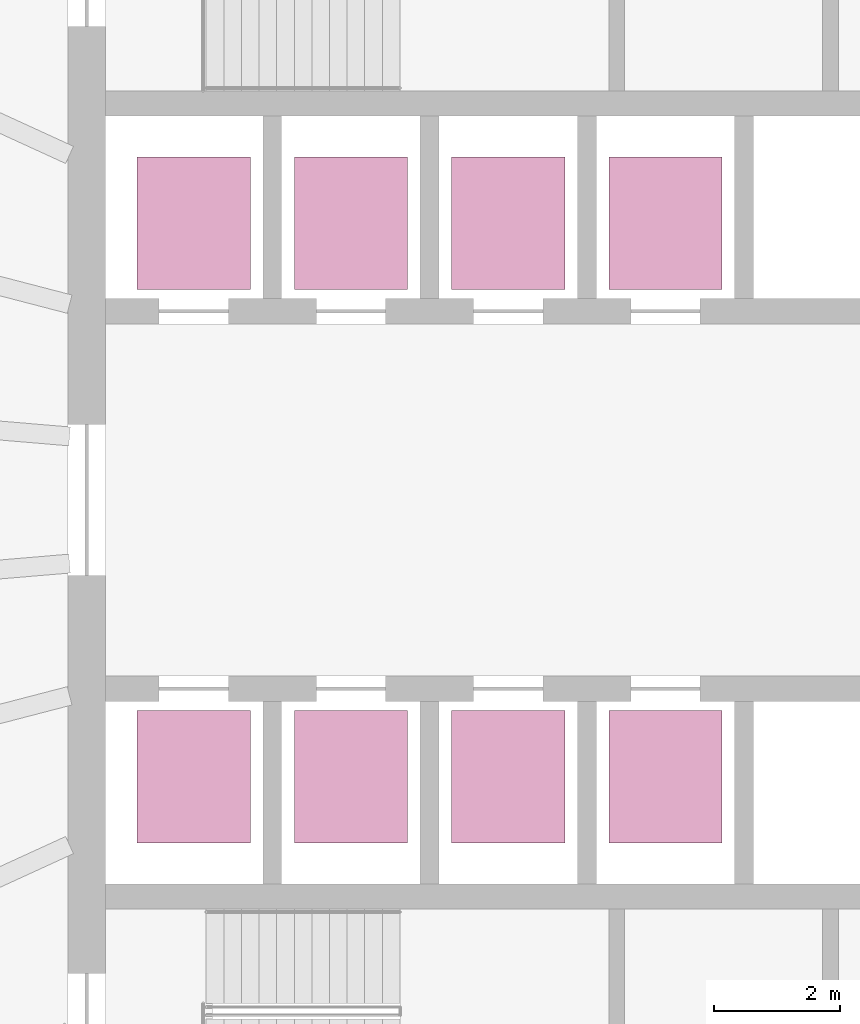
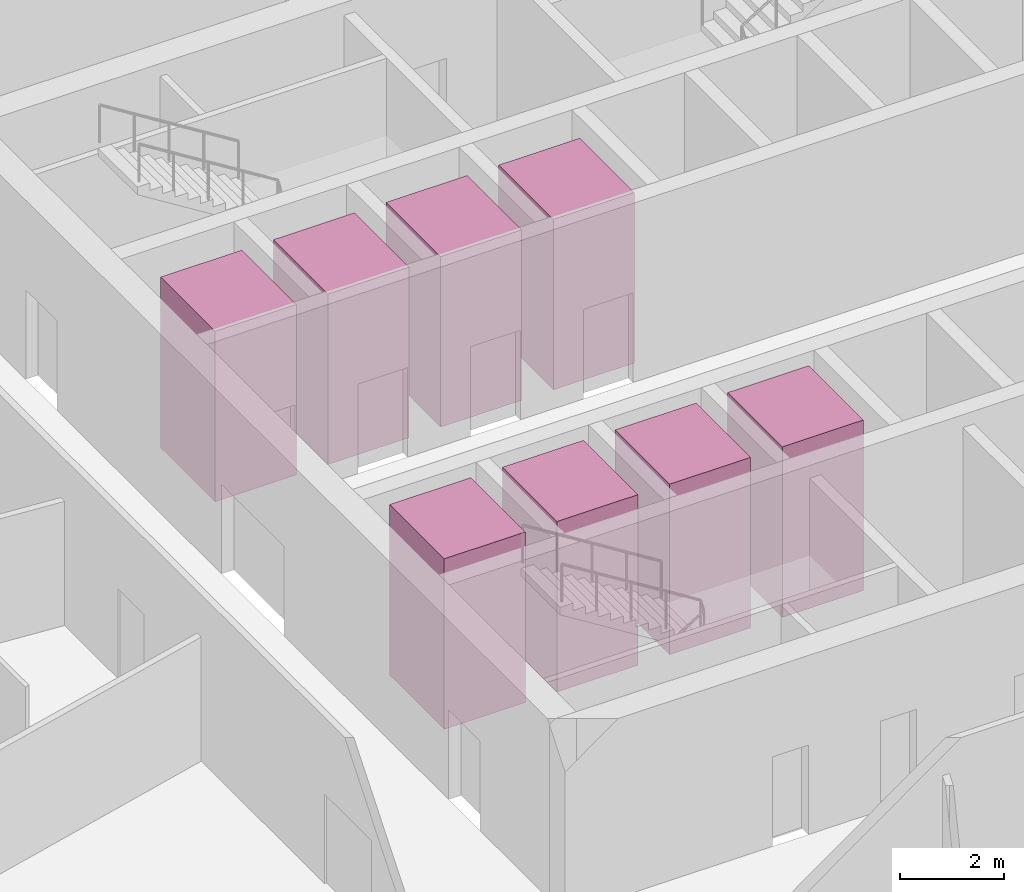
# One storey, part 10 of 10: 8 transport elements.
"""IFC4 building model written with IfcOpenShell, lengths in metres."""

from ifc_helpers import new_model, si_unit, direction, frame, origin, origin_2d, place, context, subcontext, project, spatial, rectangle, extrude, material, type_object, element, save


model = new_model("IFC4")

# Units and contexts
model_context = context("Model", 3, precision=1e-05, world=origin(), true_north=direction((0.0, 1.0)))
body_context = subcontext(model_context, "Body", "Model", "MODEL_VIEW")
ifc_project = project(units=[si_unit("LENGTHUNIT", "METRE"), si_unit("AREAUNIT", "SQUARE_METRE"), si_unit("VOLUMEUNIT", "CUBIC_METRE"), si_unit("PLANEANGLEUNIT", "RADIAN"), si_unit("MASSUNIT", "GRAM", prefix="KILO")], contexts=[model_context])

# Site, building, storey
site_placement = place(None, origin())
site = spatial("IfcSite", under=ifc_project, at=site_placement, CompositionType="ELEMENT")
building_placement = place(site_placement, origin())
building = spatial("IfcBuilding", under=site, at=building_placement, Name="Halqa Exchange Tower", CompositionType="ELEMENT")
storey_placement = place(building_placement, frame((0.0, 0.0, 154.89990234375)))
storey = spatial("IfcBuildingStorey", under=building, at=storey_placement, Name="L35", CompositionType="ELEMENT", Elevation=154.89990234375)

# Transport elements
ifc_material = material(Name="Stainless steel", Category="steel")
transport_element_type = type_object("IfcTransportElementType", Name="Low-rise passenger lift 1800 x 2100", PredefinedType="ELEVATOR", material=ifc_material)
for number, where, z_axis, x_axis, name in (
    (1, (-10.0, 4.39990234375, 0.0), (0.0, 0.0, 1.0), (1.0, 0.0, 0.0), "Low-rise passenger lift LR1"),
    (2, (-7.5, 4.39990234375, 0.0), (0.0, 0.0, 1.0), (1.0, 0.0, 0.0), "Low-rise passenger lift LR2"),
    (3, (-5.0, 4.39990234375, 0.0), (0.0, 0.0, 1.0), (1.0, 0.0, 0.0), "Low-rise passenger lift LR3"),
    (4, (-2.5, 4.39990234375, 0.0), (0.0, 0.0, 1.0), (1.0, 0.0, 0.0), "Low-rise passenger lift LR4"),
    (5, (-10.0, -4.39990234375, 0.0), (0.0, 0.0, 1.0), (1.0, 0.0, 0.0), "Low-rise passenger lift LR5"),
    (6, (-7.5, -4.39990234375, 0.0), (0.0, 0.0, 1.0), (1.0, 0.0, 0.0), "Low-rise passenger lift LR6"),
    (7, (-5.0, -4.39990234375, 0.0), (0.0, 0.0, 1.0), (1.0, 0.0, 0.0), "Low-rise passenger lift LR7"),
    (8, (-2.5, -4.39990234375, 0.0), (0.0, 0.0, 1.0), (1.0, 0.0, 0.0), "Low-rise passenger lift LR8"),
):
    element("IfcTransportElement", number, at=place(storey_placement, frame(where, z_axis=z_axis, x_axis=x_axis)), inside=storey, type_object=transport_element_type, Name=name, PredefinedType="ELEVATOR", context=body_context, shape_type="SweptSolid", body=[
        extrude(rectangle(XDim=1.800048828125, YDim=2.10009765625, at=origin_2d()), origin(), (0.0, 0.0, 1.0), 4.0),
    ])

save(model, "model.ifc")
